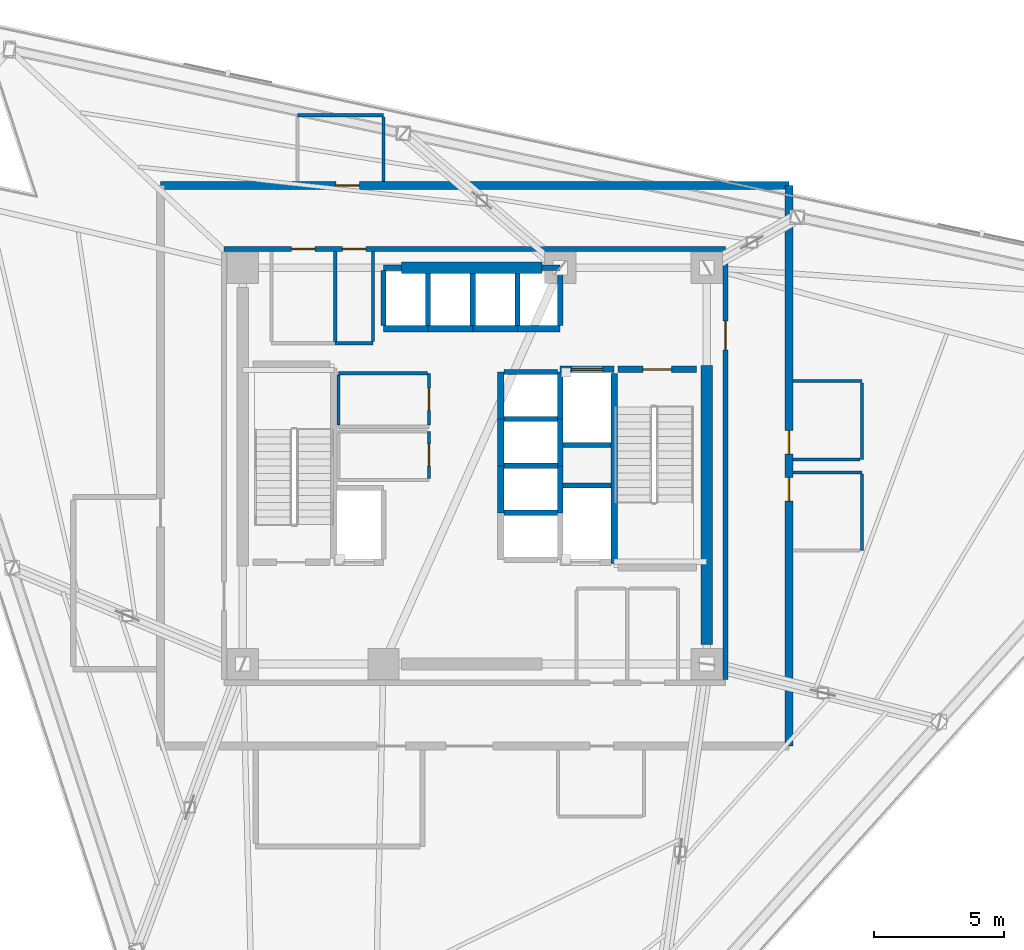
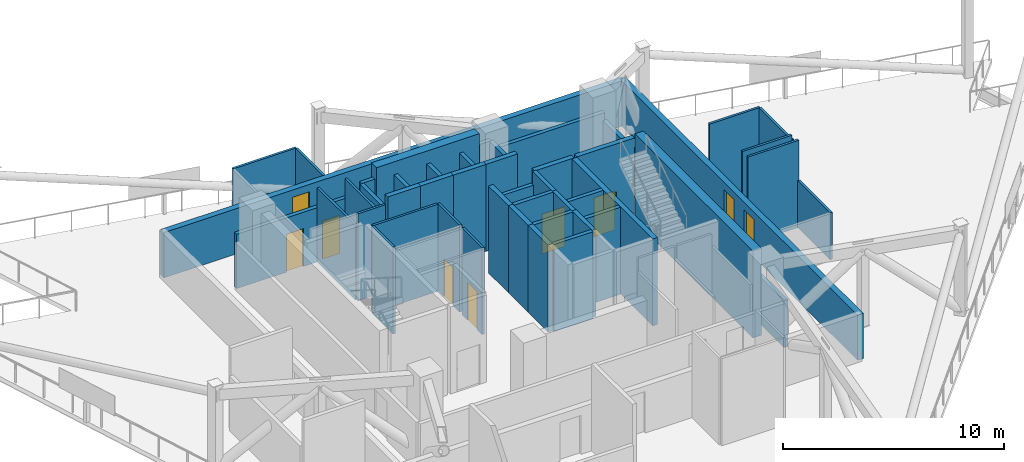
# One storey, part 8 of 15: 46 walls, 10 doors, 10 openings.
"""IFC4 building model written with IfcOpenShell, lengths in metres."""

import ifcopenshell
import ifcopenshell.guid

model = None  # the IFC model being written
_history = None  # IfcOwnerHistory: only IFC2X3 demands one
_inside = {}  # id of a spatial element -> (the spatial element, [elements in it])
_under = {}  # id of a project, library or spatial element -> (it, [spatial elements below it])
_declared = {}  # id of a project -> (the project, [libraries it declares])
_typed = {}  # id of a type object -> (the type object, [elements of that type])
_made_of = {}  # id of a material, layer set ... -> (it, [elements and type objects made of it])


def new_model(schema):
    """Start an empty IFC model of exactly this schema.

    Asked for "IFC4X3", IfcOpenShell would pick the latest addendum, in which some entities
    have other attributes; the version numbers below select the first issue.
    IFC2X3 requires an IfcOwnerHistory on every rooted entity: one is made here for all.
    """
    global model, _history
    if schema == "IFC4X3":
        model = ifcopenshell.file(schema_version=(4, 3, 0, 0))
    else:
        model = ifcopenshell.file(schema=schema)
    _inside.clear()
    _under.clear()
    _declared.clear()
    _typed.clear()
    _made_of.clear()
    _history = None
    if model.schema == "IFC2X3":
        org = make("IfcOrganization", Name="unknown")
        user = make(
            "IfcPersonAndOrganization",
            ThePerson=make("IfcPerson", FamilyName="unknown"),
            TheOrganization=org,
        )
        app = make(
            "IfcApplication",
            ApplicationDeveloper=org,
            Version="unknown",
            ApplicationFullName="unknown",
            ApplicationIdentifier="unknown",
        )
        _history = make(
            "IfcOwnerHistory",
            OwningUser=user,
            OwningApplication=app,
            ChangeAction="ADDED",
            CreationDate=0,
        )
    return model


def make(cls, **values):
    """One entity of the class cls with the attributes given. An attribute that is None is left unset."""
    return model.create_entity(
        cls, **{name: value for name, value in values.items() if value is not None}
    )


def rooted(cls, **values):
    """An entity with a GlobalId (a new one), such as an element, a storey or a relation."""
    return make(cls, GlobalId=ifcopenshell.guid.new(), OwnerHistory=_history, **values)


def si_unit(unit_type, name, prefix=None):
    """IfcSIUnit, for example si_unit("LENGTHUNIT", "METRE", prefix="MILLI")."""
    return make("IfcSIUnit", UnitType=unit_type, Prefix=prefix, Name=name)


def assignment(units):
    """IfcUnitAssignment: the units of a project."""
    return None if units is None else make("IfcUnitAssignment", Units=units)


def point(xyz):
    """IfcCartesianPoint."""
    return None if xyz is None else make("IfcCartesianPoint", Coordinates=xyz)


def direction(xyz):
    """IfcDirection."""
    return None if xyz is None else make("IfcDirection", DirectionRatios=xyz)


def frame(location, z_axis=None, x_axis=None):
    """IfcAxis2Placement3D, a coordinate frame: its origin and axes. An axis left out is left unset."""
    return make(
        "IfcAxis2Placement3D",
        Location=point(location),
        Axis=direction(z_axis),
        RefDirection=direction(x_axis),
    )


def frame_2d(location, x_axis=None):
    """IfcAxis2Placement2D, a coordinate frame in the plane: its origin and x axis."""
    return make(
        "IfcAxis2Placement2D", Location=point(location), RefDirection=direction(x_axis)
    )


def origin():
    """The frame at (0, 0, 0) with its axes left unset."""
    return frame((0.0, 0.0, 0.0))


def place(relative_to, where):
    """IfcLocalPlacement: puts the frame where relative to a parent placement (None: the world)."""
    return make(
        "IfcLocalPlacement", PlacementRelTo=relative_to, RelativePlacement=where
    )


def context(
    kind, dimensions, precision=None, world=None, true_north=None, identifier=None
):
    """IfcGeometricRepresentationContext, for example the 3D "Model" context."""
    return make(
        "IfcGeometricRepresentationContext",
        ContextIdentifier=identifier,
        ContextType=kind,
        CoordinateSpaceDimension=dimensions,
        Precision=precision,
        WorldCoordinateSystem=world,
        TrueNorth=true_north,
    )


def subcontext(parent, identifier, kind, view, scale=None):
    """IfcGeometricRepresentationSubContext, for example "Body" below "Model"."""
    return make(
        "IfcGeometricRepresentationSubContext",
        ContextIdentifier=identifier,
        ContextType=kind,
        ParentContext=parent,
        TargetScale=scale,
        TargetView=view,
    )


def project(units=None, contexts=None):
    """IfcProject with its units and contexts."""
    return rooted(
        "IfcProject",
        Name="project",
        RepresentationContexts=contexts,
        UnitsInContext=assignment(units),
    )


def spatial(cls, under=None, at=None, **own):
    """A site, building, storey or space (cls), placed at a placement, below another one or the project."""
    s = rooted(cls, ObjectPlacement=at, **own)
    if under is not None:
        _under.setdefault(under.id(), (under, []))[1].append(s)
    return s


def profile(cls, at=None, kind="AREA", **sizes):
    """A parametric profile (cls). Its sizes go by their IFC names, for example OverallWidth=200.0."""
    return make(cls, ProfileType=kind, Position=at, **sizes)


def rectangle(**sizes):
    """IfcRectangleProfileDef."""
    return profile("IfcRectangleProfileDef", **sizes)


def extrude(swept, where, along, depth):
    """IfcExtrudedAreaSolid: the profile swept, set in the frame where, extruded along a direction by depth."""
    return make(
        "IfcExtrudedAreaSolid",
        SweptArea=swept,
        Position=where,
        ExtrudedDirection=direction(along),
        Depth=depth,
    )


def shape(context_of_items, identifier, shape_type, items):
    """IfcShapeRepresentation: the items that make up one representation, for example the "Body"."""
    return make(
        "IfcShapeRepresentation",
        ContextOfItems=context_of_items,
        RepresentationIdentifier=identifier,
        RepresentationType=shape_type,
        Items=items,
    )


def material(Name=None, Category=None):
    """IfcMaterial."""
    return make("IfcMaterial", Name=Name, Category=Category)


def layer(
    of_material, thickness, ventilated=None, Name=None, Category=None, Priority=None
):
    """IfcMaterialLayer: one layer of a wall or slab, of a material (None: an air gap)."""
    return make(
        "IfcMaterialLayer",
        Material=of_material,
        LayerThickness=thickness,
        IsVentilated=ventilated,
        Name=Name,
        Category=Category,
        Priority=Priority,
    )


def layer_set(layers, Name=None):
    """IfcMaterialLayerSet."""
    return make("IfcMaterialLayerSet", MaterialLayers=layers, LayerSetName=Name)


def made_of(thing, what):
    """Note that an element or type object is made of a material, layer set ...; save() writes the relation."""
    if what is not None:
        _made_of.setdefault(what.id(), (what, []))[1].append(thing)
    return thing


def type_object(cls, material=None, **own):
    """A type object (cls), such as IfcWallType, which elements share."""
    return made_of(rooted(cls, **own), material)


def element(
    cls,
    number,
    at=None,
    inside=None,
    cuts=None,
    type_object=None,
    material=None,
    context=None,
    identifier="Body",
    shape_type=None,
    held_by="IfcProductDefinitionShape",
    body=None,
    shapes=None,
    **own,
):
    """One element of the class cls, such as IfcWall. Its Tag is "e" and its number.

    at: its placement. inside: the storey or other place that contains it. cuts: it is an
    opening in that element (IfcRelVoidsElement). A single representation is given by context,
    identifier, shape_type and body (its items); several are given by shapes. held_by: the class
    of the entity that holds the representations. save() writes the other relations.
    """
    e = rooted(cls, Tag="e%d" % number, ObjectPlacement=at, **own)
    if body is not None:
        shapes = [shape(context, identifier, shape_type, body)]
    if shapes is not None:
        e.Representation = make(held_by, Representations=shapes)
    if inside is not None:
        _inside.setdefault(inside.id(), (inside, []))[1].append(e)
    if cuts is not None:
        rooted(
            "IfcRelVoidsElement", RelatingBuildingElement=cuts, RelatedOpeningElement=e
        )
    if type_object is not None:
        _typed.setdefault(type_object.id(), (type_object, []))[1].append(e)
    return made_of(e, material)


def fill(opening, filler):
    """IfcRelFillsElement: the door or window that sits in an opening."""
    return rooted(
        "IfcRelFillsElement",
        RelatingOpeningElement=opening,
        RelatedBuildingElement=filler,
    )


def aggregate(whole, parts):
    """IfcRelAggregates: a whole, such as a stair, and the parts it consists of."""
    return rooted("IfcRelAggregates", RelatingObject=whole, RelatedObjects=parts)


def save(model, path):
    """Write the relations noted so far, then the file.

    IfcRelAggregates (storeys below a building ...), IfcRelContainedInSpatialStructure (elements
    in a storey), IfcRelDefinesByType, IfcRelAssociatesMaterial and IfcRelDeclares: one each for
    every whole, place, type object, material and project.
    """
    for whole, parts in _under.values():
        aggregate(whole, parts)
    for where, things in _inside.values():
        rooted(
            "IfcRelContainedInSpatialStructure",
            RelatedElements=things,
            RelatingStructure=where,
        )
    for kind, things in _typed.values():
        rooted("IfcRelDefinesByType", RelatedObjects=things, RelatingType=kind)
    for what, things in _made_of.values():
        rooted("IfcRelAssociatesMaterial", RelatedObjects=things, RelatingMaterial=what)
    for by, libraries in _declared.values():
        rooted("IfcRelDeclares", RelatingContext=by, RelatedDefinitions=libraries)
    model.write(path)


model = new_model("IFC4")

# Units and contexts
model_context = context("Model", 3, precision=1e-05, world=origin(), true_north=direction((0.0, 1.0)))
body_context = subcontext(model_context, "Body", "Model", "MODEL_VIEW")
ifc_project = project(units=[si_unit("LENGTHUNIT", "METRE"), si_unit("AREAUNIT", "SQUARE_METRE"), si_unit("VOLUMEUNIT", "CUBIC_METRE"), si_unit("PLANEANGLEUNIT", "RADIAN"), si_unit("MASSUNIT", "GRAM", prefix="KILO")], contexts=[model_context])

# Site, building, storey
site_placement = place(None, origin())
site = spatial("IfcSite", under=ifc_project, at=site_placement, CompositionType="ELEMENT")
building_placement = place(site_placement, origin())
building = spatial("IfcBuilding", under=site, at=building_placement, Name="Tharavind Bronze Gate", CompositionType="ELEMENT")
storey_placement = place(building_placement, frame((0.0, 0.0, 222.050048828125)))
storey = spatial("IfcBuildingStorey", under=building, at=storey_placement, Name="L57", CompositionType="ELEMENT", Elevation=222.050048828125)

# Wall, openings, doors
ifc_material_1 = material(Name="Concrete C40/50", Category="concrete")
ifc_layer_1 = layer(ifc_material_1, 0.300048828125)
ifc_layer_set_1 = layer_set([ifc_layer_1], Name="Concrete C40/50")
wall_type_1 = type_object("IfcWallType", Name="EXTERIOR SPANDREL WALL 300", PredefinedType="STANDARD", material=ifc_layer_set_1)
wall_1_placement = place(storey_placement, frame((12.050048828125, -10.75, 0.0), z_axis=(0.0, 0.0, 1.0), x_axis=(0.0, 1.0, 0.0)))
wall_1 = element("IfcWall", 1, at=wall_1_placement, inside=storey, type_object=wall_type_1, Name="L57 open wind floor core enclosure wall 2", PredefinedType="STANDARD", context=body_context, shape_type="SweptSolid", body=[
    extrude(rectangle(XDim=21.5, YDim=0.300048828125, at=frame_2d((10.75, 0.0))), origin(), (0.0, 0.0, 1.0), 2.5048828125),
])
opening_1_placement = place(wall_1_placement, frame((11.199951171875, 0.0, 0.0)))
opening_1 = element("IfcOpeningElement", 2, at=opening_1_placement, cuts=wall_1, Name="Opening ID07", PredefinedType="OPENING", context=body_context, shape_type="SweptSolid", body=[
    extrude(rectangle(XDim=0.89990234375, YDim=2.10009765625, at=frame_2d((0.449951171875, 1.050048828125))), frame((0.0, 0.15990234375, 0.0), z_axis=(0.0, -1.0, 0.0), x_axis=(1.0, 0.0, 0.0)), (0.0, 0.0, 1.0), 0.320048828125),
])
opening_2_placement = place(wall_1_placement, frame((9.39990234375, 0.0, 0.0)))
opening_2 = element("IfcOpeningElement", 3, at=opening_2_placement, cuts=wall_1, Name="Opening ID07", PredefinedType="OPENING", context=body_context, shape_type="SweptSolid", body=[
    extrude(rectangle(XDim=0.89990234375, YDim=2.10009765625, at=frame_2d((0.449951171875, 1.050048828125))), frame((0.0, 0.15990234375, 0.0), z_axis=(0.0, -1.0, 0.0), x_axis=(1.0, 0.0, 0.0)), (0.0, 0.0, 1.0), 0.320048828125),
])
ifc_material_2 = material(Name="Galvanised Fire Steel", Category="steel")
door_type_1 = type_object("IfcDoorType", Name="PLANT AND RISER FIRE DOOR 900X2100", OperationType="SINGLE_SWING_LEFT", PredefinedType="DOOR", material=ifc_material_2)
door_1_placement = place(opening_1_placement, origin())
door_1 = element("IfcDoor", 4, at=door_1_placement, inside=storey, type_object=door_type_1, Name="L57 Smoke Extract Plant Room door", OperationType="SINGLE_SWING_LEFT", OverallHeight=2.10009765625, OverallWidth=0.89990234375, PredefinedType="DOOR", context=body_context, shape_type="SweptSolid", body=[
    extrude(rectangle(XDim=0.89990234375, YDim=2.10009765625, at=frame_2d((0.449951171875, 1.050048828125))), frame((0.0, 0.02490234375, 0.0), z_axis=(0.0, -1.0, 0.0), x_axis=(1.0, 0.0, 0.0)), (0.0, 0.0, 1.0), 0.050048828125),
])
fill(opening_1, door_1)
door_2_placement = place(opening_2_placement, origin())
door_2 = element("IfcDoor", 5, at=door_2_placement, inside=storey, type_object=door_type_1, Name="L57 Pressurisation Mechanical Room door", OperationType="SINGLE_SWING_LEFT", OverallHeight=2.10009765625, OverallWidth=0.89990234375, PredefinedType="DOOR", context=body_context, shape_type="SweptSolid", body=[
    extrude(rectangle(XDim=0.89990234375, YDim=2.10009765625, at=frame_2d((0.449951171875, 1.050048828125))), frame((0.0, 0.02490234375, 0.0), z_axis=(0.0, -1.0, 0.0), x_axis=(1.0, 0.0, 0.0)), (0.0, 0.0, 1.0), 0.050048828125),
])
fill(opening_2, door_2)

# Wall, opening, door
wall_2_placement = place(storey_placement, frame((12.050048828125, 10.75, 0.0), z_axis=(0.0, 0.0, 1.0), x_axis=(-1.0, 0.0, 0.0)))
wall_2 = element("IfcWall", 6, at=wall_2_placement, inside=storey, type_object=wall_type_1, Name="L57 open wind floor core enclosure wall 3", PredefinedType="STANDARD", context=body_context, shape_type="SweptSolid", body=[
    extrude(rectangle(XDim=24.10009765625, YDim=0.300048828125, at=frame_2d((12.050048828125, 0.0))), origin(), (0.0, 0.0, 1.0), 2.5048828125),
])
opening_3_placement = place(wall_2_placement, frame((16.47705078125, 0.0, 0.0)))
opening_3 = element("IfcOpeningElement", 7, at=opening_3_placement, cuts=wall_2, Name="Opening ID07", PredefinedType="OPENING", context=body_context, shape_type="SweptSolid", body=[
    extrude(rectangle(XDim=0.89990234375, YDim=2.10009765625, at=frame_2d((0.449951171875, 1.050048828125))), frame((0.0, 0.15990234375, 0.0), z_axis=(0.0, -1.0, 0.0), x_axis=(1.0, 0.0, 0.0)), (0.0, 0.0, 1.0), 0.320048828125),
])
door_3_placement = place(opening_3_placement, origin())
door_3 = element("IfcDoor", 8, at=door_3_placement, inside=storey, type_object=door_type_1, Name="L57 Booster Pump Plant Room door", OperationType="SINGLE_SWING_LEFT", OverallHeight=2.10009765625, OverallWidth=0.89990234375, PredefinedType="DOOR", context=body_context, shape_type="SweptSolid", body=[
    extrude(rectangle(XDim=0.89990234375, YDim=2.10009765625, at=frame_2d((0.449951171875, 1.050048828125))), frame((0.0, 0.02490234375, 0.0), z_axis=(0.0, -1.0, 0.0), x_axis=(1.0, 0.0, 0.0)), (0.0, 0.0, 1.0), 0.050048828125),
])
fill(opening_3, door_3)

# Wall, openings, doors
ifc_material_3 = material(Name="Aerated Concrete Block", Category="concrete")
ifc_layer_2 = layer(ifc_material_3, 0.199951171875)
ifc_layer_set_2 = layer_set([ifc_layer_2], Name="Aerated Concrete Block")
wall_type_2 = type_object("IfcWallType", Name="FIRE RATED PARTITION 200", PredefinedType="PARTITIONING", material=ifc_layer_set_2)
wall_3_placement = place(storey_placement, frame((9.6201171875, 8.320068359375, 0.0), z_axis=(0.0, 0.0, 1.0), x_axis=(-1.0, 0.0, 0.0)))
wall_3 = element("IfcWall", 9, at=wall_3_placement, inside=storey, type_object=wall_type_2, Name="L57 north core corridor wall", PredefinedType="PARTITIONING", context=body_context, shape_type="SweptSolid", body=[
    extrude(rectangle(XDim=19.240234375, YDim=0.199951171875, at=frame_2d((9.6201171875, 0.0))), origin(), (0.0, 0.0, 1.0), 3.0048828125),
])
opening_4_placement = place(wall_3_placement, frame((15.7451171875, 0.0, 0.0)))
opening_4 = element("IfcOpeningElement", 10, at=opening_4_placement, cuts=wall_3, Name="Opening ID07", PredefinedType="OPENING", context=body_context, shape_type="SweptSolid", body=[
    extrude(rectangle(XDim=0.89990234375, YDim=2.10009765625, at=frame_2d((0.449951171875, 1.050048828125))), frame((0.0, 0.11009765625, 0.0), z_axis=(0.0, -1.0, 0.0), x_axis=(1.0, 0.0, 0.0)), (0.0, 0.0, 1.0), 0.219951171875),
])
opening_5_placement = place(wall_3_placement, frame((13.794921875, 0.0, 0.0)))
opening_5 = element("IfcOpeningElement", 11, at=opening_5_placement, cuts=wall_3, Name="Opening ID07", PredefinedType="OPENING", context=body_context, shape_type="SweptSolid", body=[
    extrude(rectangle(XDim=0.89990234375, YDim=2.10009765625, at=frame_2d((0.449951171875, 1.050048828125))), frame((0.0, 0.11009765625, 0.0), z_axis=(0.0, -1.0, 0.0), x_axis=(1.0, 0.0, 0.0)), (0.0, 0.0, 1.0), 0.219951171875),
])
door_4_placement = place(opening_4_placement, origin())
door_4 = element("IfcDoor", 12, at=door_4_placement, inside=storey, type_object=door_type_1, Name="L57 MEP Switchgear Room fire door", OperationType="SINGLE_SWING_LEFT", OverallHeight=2.10009765625, OverallWidth=0.89990234375, PredefinedType="DOOR", context=body_context, shape_type="SweptSolid", body=[
    extrude(rectangle(XDim=0.89990234375, YDim=2.10009765625, at=frame_2d((0.449951171875, 1.050048828125))), frame((0.0, 0.02490234375, 0.0), z_axis=(0.0, -1.0, 0.0), x_axis=(1.0, 0.0, 0.0)), (0.0, 0.0, 1.0), 0.050048828125),
])
fill(opening_4, door_4)
door_5_placement = place(opening_5_placement, origin())
door_5 = element("IfcDoor", 13, at=door_5_placement, inside=storey, type_object=door_type_1, Name="L57 Mechanical Riser Plant Room fire door", OperationType="SINGLE_SWING_LEFT", OverallHeight=2.10009765625, OverallWidth=0.89990234375, PredefinedType="DOOR", context=body_context, shape_type="SweptSolid", body=[
    extrude(rectangle(XDim=0.89990234375, YDim=2.10009765625, at=frame_2d((0.449951171875, 1.050048828125))), frame((0.0, 0.02490234375, 0.0), z_axis=(0.0, -1.0, 0.0), x_axis=(1.0, 0.0, 0.0)), (0.0, 0.0, 1.0), 0.050048828125),
])
fill(opening_5, door_5)

# Wall, opening, door
wall_4_placement = place(storey_placement, frame((9.6201171875, -8.199951171875, 0.0), z_axis=(0.0, 0.0, 1.0), x_axis=(0.0, 1.0, 0.0)))
wall_4 = element("IfcWall", 14, at=wall_4_placement, inside=storey, type_object=wall_type_2, Name="L57 east core corridor wall", PredefinedType="PARTITIONING", context=body_context, shape_type="SweptSolid", body=[
    extrude(rectangle(XDim=16.39990234375, YDim=0.199951171875, at=frame_2d((8.199951171875, 0.0))), origin(), (0.0, 0.0, 1.0), 2.60498046875),
])
opening_6_placement = place(wall_4_placement, frame((12.64990234375, 0.0, 0.0)))
opening_6 = element("IfcOpeningElement", 15, at=opening_6_placement, cuts=wall_4, Name="Opening ID01", PredefinedType="OPENING", context=body_context, shape_type="SweptSolid", body=[
    extrude(rectangle(XDim=1.10009765625, YDim=2.14990234375, at=frame_2d((0.550048828125, 1.074951171875))), frame((0.0, 0.11009765625, 0.0), z_axis=(0.0, -1.0, 0.0), x_axis=(1.0, 0.0, 0.0)), (0.0, 0.0, 1.0), 0.219951171875),
])
ifc_material_4 = material(Name="Fire-Rated Steel", Category="steel")
door_type_2 = type_object("IfcDoorType", Name="STAIR CORE FIRE DOOR 1100X2150", OperationType="SINGLE_SWING_LEFT", PredefinedType="DOOR", material=ifc_material_4)
door_6_placement = place(opening_6_placement, frame((1.10009765625, 0.0, 0.0), z_axis=(0.0, 0.0, 1.0), x_axis=(-1.0, 0.0, 0.0)))
door_6 = element("IfcDoor", 16, at=door_6_placement, inside=storey, type_object=door_type_2, Name="L57 north east stair lobby fire door", OperationType="SINGLE_SWING_LEFT", OverallHeight=2.14990234375, OverallWidth=1.10009765625, PredefinedType="DOOR", context=body_context, shape_type="SweptSolid", body=[
    extrude(rectangle(XDim=1.10009765625, YDim=2.14990234375, at=frame_2d((0.550048828125, 1.074951171875))), frame((0.0, 0.02490234375, 0.0), z_axis=(0.0, -1.0, 0.0), x_axis=(1.0, 0.0, 0.0)), (0.0, 0.0, 1.0), 0.050048828125),
])
fill(opening_6, door_6)

ifc_material_5 = material(Name="Metal Stud Gypsum Partition", Category="gypsum")
ifc_layer_3 = layer(ifc_material_5, 0.1201171875)
ifc_layer_set_3 = layer_set([ifc_layer_3], Name="Metal Stud Gypsum Partition")
wall_type_3 = type_object("IfcWallType", Name="INTERIOR PARTITION WALL 120", PredefinedType="PARTITIONING", material=ifc_layer_set_3)
wall_5_placement = place(storey_placement, frame((-1.75, 1.56494140625, 0.0), z_axis=(0.0, 0.0, 1.0), x_axis=(0.0, 1.0, 0.0)))
wall_5 = element("IfcWall", 17, at=wall_5_placement, inside=storey, type_object=wall_type_3, Name="L57 Core MEP Switchgear Room partition 2", PredefinedType="PARTITIONING", context=body_context, shape_type="SweptSolid", body=[
    extrude(rectangle(XDim=1.985107421875, YDim=0.1201171875, at=frame_2d((0.99267578125, 0.0))), origin(), (0.0, 0.0, 1.0), 4.81005859375),
])
opening_7_placement = place(wall_5_placement, frame((0.56689453125, 0.0, 0.0)))
opening_7 = element("IfcOpeningElement", 18, at=opening_7_placement, cuts=wall_5, Name="Opening ID06", PredefinedType="OPENING", context=body_context, shape_type="SweptSolid", body=[
    extrude(rectangle(XDim=0.85009765625, YDim=2.10009765625, at=frame_2d((0.425048828125, 1.050048828125))), frame((0.0, 0.07005859375, 0.0), z_axis=(0.0, -1.0, 0.0), x_axis=(1.0, 0.0, 0.0)), (0.0, 0.0, 1.0), 0.1401171875),
])
ifc_material_6 = material(Name="Moisture-Resistant Timber", Category="wood")
door_type_3 = type_object("IfcDoorType", Name="BATHROOM PRIVACY DOOR 850X2100", OperationType="SINGLE_SWING_RIGHT", PredefinedType="DOOR", material=ifc_material_6)
door_7_placement = place(opening_7_placement, frame((0.85009765625, 0.0, 0.0), z_axis=(0.0, 0.0, 1.0), x_axis=(-1.0, 0.0, 0.0)))
door_7 = element("IfcDoor", 19, at=door_7_placement, inside=storey, type_object=door_type_3, Name="L57 Core MEP Switchgear Room door", OperationType="SINGLE_SWING_RIGHT", OverallHeight=2.10009765625, OverallWidth=0.85009765625, PredefinedType="DOOR", context=body_context, shape_type="SweptSolid", body=[
    extrude(rectangle(XDim=0.85009765625, YDim=2.10009765625, at=frame_2d((0.425048828125, 1.050048828125))), frame((0.0, 0.02490234375, 0.0), z_axis=(0.0, -1.0, 0.0), x_axis=(1.0, 0.0, 0.0)), (0.0, 0.0, 1.0), 0.050048828125),
])
fill(opening_7, door_7)

# Walls
wall_6_placement = place(storey_placement, frame((-1.81494140625, 3.550048828125, 0.0), z_axis=(0.0, 0.0, 1.0), x_axis=(-1.0, 0.0, 0.0)))
element("IfcWall", 20, at=wall_6_placement, inside=storey, type_object=wall_type_3, Name="L57 Core MEP Switchgear Room partition 3", PredefinedType="PARTITIONING", context=body_context, shape_type="SweptSolid", body=[
    extrude(rectangle(XDim=3.405029296875, YDim=0.1201171875, at=frame_2d((1.70263671875, 0.0))), origin(), (0.0, 0.0, 1.0), 4.81005859375),
])
wall_7_placement = place(storey_placement, frame((-5.219970703125, 3.485107421875, 0.0), z_axis=(0.0, 0.0, 1.0), x_axis=(0.0, -1.0, 0.0)))
element("IfcWall", 21, at=wall_7_placement, inside=storey, type_object=wall_type_3, Name="L57 Core MEP Switchgear Room partition 4", PredefinedType="PARTITIONING", context=body_context, shape_type="SweptSolid", body=[
    extrude(rectangle(XDim=1.920166015625, YDim=0.1201171875, at=frame_2d((0.9599609375, 0.0))), origin(), (0.0, 0.0, 1.0), 4.81005859375),
])

# Wall, opening, door
wall_8_placement = place(storey_placement, frame((-1.75, -0.485107421875, 0.0), z_axis=(0.0, 0.0, 1.0), x_axis=(0.0, 1.0, 0.0)))
wall_8 = element("IfcWall", 22, at=wall_8_placement, inside=storey, type_object=wall_type_3, Name="L57 Core Mechanical Valve Plant partition 2", PredefinedType="PARTITIONING", context=body_context, shape_type="SweptSolid", body=[
    extrude(rectangle(XDim=1.80517578125, YDim=0.1201171875, at=frame_2d((0.902587890625, 0.0))), origin(), (0.0, 0.0, 1.0), 4.81005859375),
])
opening_8_placement = place(wall_8_placement, frame((0.47802734375, 0.0, 0.0)))
opening_8 = element("IfcOpeningElement", 23, at=opening_8_placement, cuts=wall_8, Name="Opening ID06", PredefinedType="OPENING", context=body_context, shape_type="SweptSolid", body=[
    extrude(rectangle(XDim=0.85009765625, YDim=2.10009765625, at=frame_2d((0.425048828125, 1.050048828125))), frame((0.0, 0.07005859375, 0.0), z_axis=(0.0, -1.0, 0.0), x_axis=(1.0, 0.0, 0.0)), (0.0, 0.0, 1.0), 0.1401171875),
])
door_8_placement = place(opening_8_placement, frame((0.85009765625, 0.0, 0.0), z_axis=(0.0, 0.0, 1.0), x_axis=(-1.0, 0.0, 0.0)))
door_8 = element("IfcDoor", 24, at=door_8_placement, inside=storey, type_object=door_type_3, Name="L57 Core Mechanical Valve Plant door", OperationType="SINGLE_SWING_RIGHT", OverallHeight=2.10009765625, OverallWidth=0.85009765625, PredefinedType="DOOR", context=body_context, shape_type="SweptSolid", body=[
    extrude(rectangle(XDim=0.85009765625, YDim=2.10009765625, at=frame_2d((0.425048828125, 1.050048828125))), frame((0.0, 0.02490234375, 0.0), z_axis=(0.0, -1.0, 0.0), x_axis=(1.0, 0.0, 0.0)), (0.0, 0.0, 1.0), 0.050048828125),
])
fill(opening_8, door_8)

# Walls
wall_9_placement = place(storey_placement, frame((-5.35009765625, 4.764892578125, 0.0), z_axis=(0.0, 0.0, 1.0), x_axis=(0.0, 1.0, 0.0)))
element("IfcWall", 25, at=wall_9_placement, inside=storey, type_object=wall_type_3, Name="L57 MEP Switchgear Room partition 2", PredefinedType="PARTITIONING", context=body_context, shape_type="SweptSolid", body=[
    extrude(rectangle(XDim=3.4501953125, YDim=0.1201171875, at=frame_2d((1.72509765625, 0.0))), origin(), (0.0, 0.0, 1.0), 4.10498046875),
])
wall_10_placement = place(storey_placement, frame((-5.35009765625, 4.699951171875, 0.0), z_axis=(0.0, 0.0, 1.0), x_axis=(1.0, 0.0, 0.0)))
element("IfcWall", 26, at=wall_10_placement, inside=storey, type_object=wall_type_3, Name="L57 Mechanical Riser Plant Room partition 1", PredefinedType="PARTITIONING", context=body_context, shape_type="SweptSolid", body=[
    extrude(rectangle(XDim=1.4501953125, YDim=0.1201171875, at=frame_2d((0.72509765625, 0.0))), origin(), (0.0, 0.0, 1.0), 4.81005859375),
])
wall_11_placement = place(storey_placement, frame((-3.89990234375, 4.764892578125, 0.0), z_axis=(0.0, 0.0, 1.0), x_axis=(0.0, 1.0, 0.0)))
element("IfcWall", 27, at=wall_11_placement, inside=storey, type_object=wall_type_3, Name="L57 Mechanical Riser Plant Room partition 2", PredefinedType="PARTITIONING", context=body_context, shape_type="SweptSolid", body=[
    extrude(rectangle(XDim=3.4501953125, YDim=0.1201171875, at=frame_2d((1.72509765625, 0.0))), origin(), (0.0, 0.0, 1.0), 4.10498046875),
])
wall_12_placement = place(storey_placement, frame((12.205078125, 3.25, 0.0), z_axis=(0.0, 0.0, 1.0), x_axis=(1.0, 0.0, 0.0)))
element("IfcWall", 28, at=wall_12_placement, inside=storey, type_object=wall_type_3, Name="L57 Smoke Extract Plant Room partition", PredefinedType="PARTITIONING", context=body_context, shape_type="SweptSolid", body=[
    extrude(rectangle(XDim=2.64501953125, YDim=0.1201171875, at=frame_2d((1.322509765625, 0.0))), origin(), (0.0, 0.0, 1.0), 4.5048828125),
])
wall_13_placement = place(storey_placement, frame((14.85009765625, 3.18505859375, 0.0), z_axis=(0.0, 0.0, 1.0), x_axis=(0.0, -1.0, 0.0)))
element("IfcWall", 29, at=wall_13_placement, inside=storey, type_object=wall_type_3, Name="L57 Smoke Extract Plant Room partition", PredefinedType="PARTITIONING", context=body_context, shape_type="SweptSolid", body=[
    extrude(rectangle(XDim=2.93505859375, YDim=0.1201171875, at=frame_2d((1.467529296875, 0.0))), origin(), (0.0, 0.0, 1.0), 4.5048828125),
])
wall_14_placement = place(storey_placement, frame((14.784912109375, 0.25, 0.0), z_axis=(0.0, 0.0, 1.0), x_axis=(-1.0, 0.0, 0.0)))
element("IfcWall", 30, at=wall_14_placement, inside=storey, type_object=wall_type_3, Name="L57 Smoke Extract Plant Room partition", PredefinedType="PARTITIONING", context=body_context, shape_type="SweptSolid", body=[
    extrude(rectangle(XDim=2.579833984375, YDim=0.1201171875, at=frame_2d((1.2900390625, 0.0))), origin(), (0.0, 0.0, 1.0), 4.81005859375),
])
wall_15_placement = place(storey_placement, frame((12.205078125, -0.25, 0.0), z_axis=(0.0, 0.0, 1.0), x_axis=(1.0, 0.0, 0.0)))
element("IfcWall", 31, at=wall_15_placement, inside=storey, type_object=wall_type_3, Name="L57 Pressurisation Mechanical Room partition", PredefinedType="PARTITIONING", context=body_context, shape_type="SweptSolid", body=[
    extrude(rectangle(XDim=2.64501953125, YDim=0.1201171875, at=frame_2d((1.322509765625, 0.0))), origin(), (0.0, 0.0, 1.0), 4.81005859375),
])
wall_16_placement = place(storey_placement, frame((14.85009765625, -0.31494140625, 0.0), z_axis=(0.0, 0.0, 1.0), x_axis=(0.0, -1.0, 0.0)))
element("IfcWall", 32, at=wall_16_placement, inside=storey, type_object=wall_type_3, Name="L57 Pressurisation Mechanical Room partition", PredefinedType="PARTITIONING", context=body_context, shape_type="SweptSolid", body=[
    extrude(rectangle(XDim=2.93505859375, YDim=0.1201171875, at=frame_2d((1.467529296875, 0.0))), origin(), (0.0, 0.0, 1.0), 2.60498046875),
])
wall_17_placement = place(storey_placement, frame((-6.800048828125, 13.449951171875, 0.0), z_axis=(0.0, 0.0, 1.0), x_axis=(1.0, 0.0, 0.0)))
element("IfcWall", 33, at=wall_17_placement, inside=storey, type_object=wall_type_3, Name="L57 Booster Pump Plant Room partition", PredefinedType="PARTITIONING", context=body_context, shape_type="SweptSolid", body=[
    extrude(rectangle(XDim=3.300048828125, YDim=0.1201171875, at=frame_2d((1.64990234375, 0.0))), origin(), (0.0, 0.0, 1.0), 2.5048828125),
])
wall_18_placement = place(storey_placement, frame((-3.5, 13.385009765625, 0.0), z_axis=(0.0, 0.0, 1.0), x_axis=(0.0, -1.0, 0.0)))
element("IfcWall", 34, at=wall_18_placement, inside=storey, type_object=wall_type_3, Name="L57 Booster Pump Plant Room partition", PredefinedType="PARTITIONING", context=body_context, shape_type="SweptSolid", body=[
    extrude(rectangle(XDim=2.47998046875, YDim=0.1201171875, at=frame_2d((1.239990234375, 0.0))), origin(), (0.0, 0.0, 1.0), 2.5048828125),
])
ifc_material_7 = material(Name="Concrete C50/60", Category="concrete")
ifc_layer_4 = layer(ifc_material_7, 0.25)
ifc_layer_set_4 = layer_set([ifc_layer_4], Name="Concrete C50/60")
wall_type_4 = type_object("IfcWallType", Name="RC CORE SHEAR WALL 250", PredefinedType="SHEAR", material=ifc_layer_set_4)
wall_19_placement = place(storey_placement, frame((5.35009765625, -3.75, 0.0), z_axis=(0.0, 0.0, 1.0), x_axis=(0.0, 1.0, 0.0)))
element("IfcWall", 35, at=wall_19_placement, inside=storey, type_object=wall_type_4, Name="L57 ST2 shaft west wall", PredefinedType="SHEAR", context=body_context, shape_type="SweptSolid", body=[
    extrude(rectangle(XDim=7.300048828125, YDim=0.25, at=frame_2d((3.64990234375, 0.0))), origin(), (0.0, 0.0, 1.0), 4.81005859375),
])

# Wall, opening, door
wall_20_placement = place(storey_placement, frame((5.5, 3.699951171875, 0.0), z_axis=(0.0, 0.0, 1.0), x_axis=(1.0, 0.0, 0.0)))
wall_20 = element("IfcWall", 36, at=wall_20_placement, inside=storey, type_object=wall_type_4, Name="L57 ST2 shaft north wall", PredefinedType="SHEAR", context=body_context, shape_type="SweptSolid", body=[
    extrude(rectangle(XDim=3.0, YDim=0.25, at=frame_2d((1.5, 0.0))), origin(), (0.0, 0.0, 1.0), 4.81005859375),
])
opening_9_placement = place(wall_20_placement, frame((0.949951171875, 0.0, 0.0)))
opening_9 = element("IfcOpeningElement", 37, at=opening_9_placement, cuts=wall_20, Name="Opening ID01", PredefinedType="OPENING", context=body_context, shape_type="SweptSolid", body=[
    extrude(rectangle(XDim=1.10009765625, YDim=2.14990234375, at=frame_2d((0.550048828125, 1.074951171875))), frame((0.0, 0.135, 0.0), z_axis=(0.0, -1.0, 0.0), x_axis=(1.0, 0.0, 0.0)), (0.0, 0.0, 1.0), 0.27),
])
door_9_placement = place(opening_9_placement, frame((1.10009765625, 0.0, 0.0), z_axis=(0.0, 0.0, 1.0), x_axis=(-1.0, 0.0, 0.0)))
door_9 = element("IfcDoor", 38, at=door_9_placement, inside=storey, type_object=door_type_2, Name="L57 exit stair ST2 fire door", OperationType="SINGLE_SWING_LEFT", OverallHeight=2.14990234375, OverallWidth=1.10009765625, PredefinedType="DOOR", context=body_context, shape_type="SweptSolid", body=[
    extrude(rectangle(XDim=1.10009765625, YDim=2.14990234375, at=frame_2d((0.550048828125, 1.074951171875))), frame((0.0, 0.02490234375, 0.0), z_axis=(0.0, -1.0, 0.0), x_axis=(1.0, 0.0, 0.0)), (0.0, 0.0, 1.0), 0.050048828125),
])
fill(opening_9, door_9)

# Walls
wall_21_placement = place(storey_placement, frame((-3.5, 5.25, 0.0), z_axis=(0.0, 0.0, 1.0), x_axis=(1.0, 0.0, 0.0)))
element("IfcWall", 39, at=wall_21_placement, inside=storey, type_object=wall_type_4, Name="L57 lift PL5 shaft front wall", PredefinedType="SHEAR", context=body_context, shape_type="SweptSolid", body=[
    extrude(rectangle(XDim=1.71240234375, YDim=0.25, at=frame_2d((0.856201171875, 0.0))), origin(), (0.0, 0.0, 1.0), 4.81005859375),
])
wall_22_placement = place(storey_placement, frame((-1.78759765625, 5.25, 0.0), z_axis=(0.0, 0.0, 1.0), x_axis=(1.0, 0.0, 0.0)))
element("IfcWall", 40, at=wall_22_placement, inside=storey, type_object=wall_type_4, Name="L57 lift PL6 shaft front wall", PredefinedType="SHEAR", context=body_context, shape_type="SweptSolid", body=[
    extrude(rectangle(XDim=1.712646484375, YDim=0.25, at=frame_2d((0.8564453125, 0.0))), origin(), (0.0, 0.0, 1.0), 4.81005859375),
])
wall_23_placement = place(storey_placement, frame((-0.074951171875, 5.25, 0.0), z_axis=(0.0, 0.0, 1.0), x_axis=(1.0, 0.0, 0.0)))
element("IfcWall", 41, at=wall_23_placement, inside=storey, type_object=wall_type_4, Name="L57 lift PL7 shaft front wall", PredefinedType="SHEAR", context=body_context, shape_type="SweptSolid", body=[
    extrude(rectangle(XDim=1.71240234375, YDim=0.25, at=frame_2d((0.856201171875, 0.0))), origin(), (0.0, 0.0, 1.0), 4.81005859375),
])
wall_24_placement = place(storey_placement, frame((1.637451171875, 5.25, 0.0), z_axis=(0.0, 0.0, 1.0), x_axis=(1.0, 0.0, 0.0)))
element("IfcWall", 42, at=wall_24_placement, inside=storey, type_object=wall_type_4, Name="L57 lift PL8 shaft front wall", PredefinedType="SHEAR", context=body_context, shape_type="SweptSolid", body=[
    extrude(rectangle(XDim=1.642578125, YDim=0.25, at=frame_2d((0.8212890625, 0.0))), origin(), (0.0, 0.0, 1.0), 4.81005859375),
])
for number, where, z_axis, x_axis, name in (
    (43, (1.0, -1.800048828125, 0.0), (0.0, 0.0, 1.0), (0.0, 1.0, 0.0), "L57 lift PL10 shaft front wall"),
    (44, (1.0, 0.0, 0.0), (0.0, 0.0, 1.0), (0.0, 1.0, 0.0), "L57 lift PL11 shaft front wall"),
    (45, (1.0, 1.800048828125, 0.0), (0.0, 0.0, 1.0), (0.0, 1.0, 0.0), "L57 lift PL12 shaft front wall"),
):
    element("IfcWall", number, at=place(storey_placement, frame(where, z_axis=z_axis, x_axis=x_axis)), inside=storey, type_object=wall_type_4, Name=name, PredefinedType="SHEAR", context=body_context, shape_type="SweptSolid", body=[
        extrude(rectangle(XDim=1.800048828125, YDim=0.25, at=frame_2d((0.89990234375, 0.0))), origin(), (0.0, 0.0, 1.0), 4.81005859375),
    ])

# Wall, opening, door
wall_25_placement = place(storey_placement, frame((3.280029296875, 3.699951171875, 0.0), z_axis=(0.0, 0.0, 1.0), x_axis=(1.0, 0.0, 0.0)))
wall_25 = element("IfcWall", 46, at=wall_25_placement, inside=storey, type_object=wall_type_4, Name="L57 lift FFL2 shaft front wall", PredefinedType="SHEAR", context=body_context, shape_type="SweptSolid", body=[
    extrude(rectangle(XDim=2.070068359375, YDim=0.25, at=frame_2d((1.03515625, 0.0))), origin(), (0.0, 0.0, 1.0), 4.81005859375),
])
opening_10_placement = place(wall_25_placement, frame((0.43505859375, 0.0, 0.0)))
opening_10 = element("IfcOpeningElement", 47, at=opening_10_placement, cuts=wall_25, Name="Opening LD02", PredefinedType="OPENING", context=body_context, shape_type="SweptSolid", body=[
    extrude(rectangle(XDim=1.199951171875, YDim=2.199951171875, at=frame_2d((0.60009765625, 1.10009765625))), frame((0.0, 0.135, 0.0), z_axis=(0.0, -1.0, 0.0), x_axis=(1.0, 0.0, 0.0)), (0.0, 0.0, 1.0), 0.27),
])
ifc_material_8 = material(Name="Brushed Stainless Steel", Category="steel")
door_type_4 = type_object("IfcDoorType", Name="FIREFIGHTING LIFT LANDING DOOR 1200X2200", OperationType="SLIDING_TO_RIGHT", PredefinedType="DOOR", material=ifc_material_8)
door_10_placement = place(opening_10_placement, origin())
door_10 = element("IfcDoor", 48, at=door_10_placement, inside=storey, type_object=door_type_4, Name="L57 lift FFL2 sliding landing door", OperationType="SLIDING_TO_RIGHT", OverallHeight=2.199951171875, OverallWidth=1.199951171875, PredefinedType="DOOR", context=body_context, shape_type="SweptSolid", body=[
    extrude(rectangle(XDim=1.199951171875, YDim=2.199951171875, at=frame_2d((0.60009765625, 1.10009765625))), frame((0.0, 0.02490234375, 0.0), z_axis=(0.0, -1.0, 0.0), x_axis=(1.0, 0.0, 0.0)), (0.0, 0.0, 1.0), 0.050048828125),
])
fill(opening_10, door_10)

# Walls
ifc_material_9 = material(Name="Concrete C60/75", Category="concrete")
ifc_layer_5 = layer(ifc_material_9, 0.449951171875)
ifc_layer_set_5 = layer_set([ifc_layer_5], Name="Concrete C60/75")
wall_type_5 = type_object("IfcWallType", Name="RC CORE SHEAR WALL 450", PredefinedType="SHEAR", material=ifc_layer_set_5)
wall_26_placement = place(storey_placement, frame((-2.800048828125, 7.60009765625, 0.0), z_axis=(0.0, 0.0, 1.0), x_axis=(1.0, 0.0, 0.0)))
element("IfcWall", 49, at=wall_26_placement, inside=storey, type_object=wall_type_5, Name="L57 north core shear wall", PredefinedType="SHEAR", context=body_context, shape_type="SweptSolid", body=[
    extrude(rectangle(XDim=5.380126953125, YDim=0.449951171875, at=frame_2d((2.68994140625, 0.0))), origin(), (0.0, 0.0, 1.0), 4.81005859375),
])
wall_27_placement = place(storey_placement, frame((8.89990234375, -6.85009765625, 0.0), z_axis=(0.0, 0.0, 1.0), x_axis=(0.0, 1.0, 0.0)))
element("IfcWall", 50, at=wall_27_placement, inside=storey, type_object=wall_type_5, Name="L57 east core shear wall", PredefinedType="SHEAR", context=body_context, shape_type="SweptSolid", body=[
    extrude(rectangle(XDim=10.7001953125, YDim=0.449951171875, at=frame_2d((5.35009765625, 0.0))), origin(), (0.0, 0.0, 1.0), 4.81005859375),
])
ifc_layer_6 = layer(ifc_material_1, 0.199951171875)
ifc_layer_set_6 = layer_set([ifc_layer_6], Name="Concrete C40/50")
wall_type_6 = type_object("IfcWallType", Name="SHAFT ENCLOSURE WALL 200", PredefinedType="PARTITIONING", material=ifc_layer_set_6)
wall_28_placement = place(storey_placement, frame((-3.5, 7.60009765625, 0.0), z_axis=(0.0, 0.0, 1.0), x_axis=(1.0, 0.0, 0.0)))
element("IfcWall", 51, at=wall_28_placement, inside=storey, type_object=wall_type_6, Name="L57 lift PL5 shaft N enclosure wall", PredefinedType="PARTITIONING", context=body_context, shape_type="SweptSolid", body=[
    extrude(rectangle(XDim=0.699951171875, YDim=0.199951171875, at=frame_2d((0.35009765625, 0.0))), origin(), (0.0, 0.0, 1.0), 4.10498046875),
])
wall_29_placement = place(storey_placement, frame((-3.5, 5.3798828125, 0.0), z_axis=(0.0, 0.0, 1.0), x_axis=(0.0, 1.0, 0.0)))
element("IfcWall", 52, at=wall_29_placement, inside=storey, type_object=wall_type_6, Name="L57 lift PL5 shaft W enclosure wall", PredefinedType="PARTITIONING", context=body_context, shape_type="SweptSolid", body=[
    extrude(rectangle(XDim=2.115234375, YDim=0.199951171875, at=frame_2d((1.0576171875, 0.0))), origin(), (0.0, 0.0, 1.0), 4.10498046875),
])
for number, where, z_axis, x_axis, name in (
    (53, (-1.78759765625, 5.3798828125, 0.0), (0.0, 0.0, 1.0), (0.0, 1.0, 0.0), "L57 lift PL5 shaft E enclosure wall"),
    (54, (-0.074951171875, 5.3798828125, 0.0), (0.0, 0.0, 1.0), (0.0, 1.0, 0.0), "L57 lift PL6 shaft E enclosure wall"),
    (55, (1.637451171875, 5.3798828125, 0.0), (0.0, 0.0, 1.0), (0.0, 1.0, 0.0), "L57 lift PL7 shaft E enclosure wall"),
):
    element("IfcWall", number, at=place(storey_placement, frame(where, z_axis=z_axis, x_axis=x_axis)), inside=storey, type_object=wall_type_6, Name=name, PredefinedType="PARTITIONING", context=body_context, shape_type="SweptSolid", body=[
        extrude(rectangle(XDim=1.990234375, YDim=0.199951171875, at=frame_2d((0.9951171875, 0.0))), origin(), (0.0, 0.0, 1.0), 4.10498046875),
    ])
wall_30_placement = place(storey_placement, frame((2.580078125, 7.60009765625, 0.0), z_axis=(0.0, 0.0, 1.0), x_axis=(1.0, 0.0, 0.0)))
element("IfcWall", 56, at=wall_30_placement, inside=storey, type_object=wall_type_6, Name="L57 lift PL8 shaft N enclosure wall", PredefinedType="PARTITIONING", context=body_context, shape_type="SweptSolid", body=[
    extrude(rectangle(XDim=0.699951171875, YDim=0.199951171875, at=frame_2d((0.35009765625, 0.0))), origin(), (0.0, 0.0, 1.0), 4.10498046875),
])
wall_31_placement = place(storey_placement, frame((3.280029296875, 5.3798828125, 0.0), z_axis=(0.0, 0.0, 1.0), x_axis=(0.0, 1.0, 0.0)))
element("IfcWall", 57, at=wall_31_placement, inside=storey, type_object=wall_type_6, Name="L57 lift PL8 shaft E enclosure wall", PredefinedType="PARTITIONING", context=body_context, shape_type="SweptSolid", body=[
    extrude(rectangle(XDim=2.115234375, YDim=0.199951171875, at=frame_2d((1.0576171875, 0.0))), origin(), (0.0, 0.0, 1.0), 4.10498046875),
])
wall_32_placement = place(storey_placement, frame((1.1298828125, -1.800048828125, 0.0), z_axis=(0.0, 0.0, 1.0), x_axis=(1.0, 0.0, 0.0)))
element("IfcWall", 58, at=wall_32_placement, inside=storey, type_object=wall_type_6, Name="L57 lift PL9 shaft N enclosure wall", PredefinedType="PARTITIONING", context=body_context, shape_type="SweptSolid", body=[
    extrude(rectangle(XDim=2.045166015625, YDim=0.199951171875, at=frame_2d((1.0224609375, 0.0))), origin(), (0.0, 0.0, 1.0), 4.81005859375),
])
wall_33_placement = place(storey_placement, frame((3.280029296875, -1.800048828125, 0.0), z_axis=(0.0, 0.0, 1.0), x_axis=(0.0, 1.0, 0.0)))
element("IfcWall", 59, at=wall_33_placement, inside=storey, type_object=wall_type_6, Name="L57 lift PL10 shaft E enclosure wall", PredefinedType="PARTITIONING", context=body_context, shape_type="SweptSolid", body=[
    extrude(rectangle(XDim=1.800048828125, YDim=0.199951171875, at=frame_2d((0.89990234375, 0.0))), origin(), (0.0, 0.0, 1.0), 4.81005859375),
])
wall_34_placement = place(storey_placement, frame((1.1298828125, 0.0, 0.0), z_axis=(0.0, 0.0, 1.0), x_axis=(1.0, 0.0, 0.0)))
element("IfcWall", 60, at=wall_34_placement, inside=storey, type_object=wall_type_6, Name="L57 lift PL10 shaft N enclosure wall", PredefinedType="PARTITIONING", context=body_context, shape_type="SweptSolid", body=[
    extrude(rectangle(XDim=2.045166015625, YDim=0.199951171875, at=frame_2d((1.0224609375, 0.0))), origin(), (0.0, 0.0, 1.0), 4.81005859375),
])
wall_35_placement = place(storey_placement, frame((3.280029296875, 0.0, 0.0), z_axis=(0.0, 0.0, 1.0), x_axis=(0.0, 1.0, 0.0)))
element("IfcWall", 61, at=wall_35_placement, inside=storey, type_object=wall_type_6, Name="L57 lift PL11 shaft E enclosure wall", PredefinedType="PARTITIONING", context=body_context, shape_type="SweptSolid", body=[
    extrude(rectangle(XDim=1.800048828125, YDim=0.199951171875, at=frame_2d((0.89990234375, 0.0))), origin(), (0.0, 0.0, 1.0), 4.81005859375),
])
wall_36_placement = place(storey_placement, frame((1.1298828125, 1.800048828125, 0.0), z_axis=(0.0, 0.0, 1.0), x_axis=(1.0, 0.0, 0.0)))
element("IfcWall", 62, at=wall_36_placement, inside=storey, type_object=wall_type_6, Name="L57 lift PL11 shaft N enclosure wall", PredefinedType="PARTITIONING", context=body_context, shape_type="SweptSolid", body=[
    extrude(rectangle(XDim=2.045166015625, YDim=0.199951171875, at=frame_2d((1.0224609375, 0.0))), origin(), (0.0, 0.0, 1.0), 4.81005859375),
])
wall_37_placement = place(storey_placement, frame((3.280029296875, 1.800048828125, 0.0), z_axis=(0.0, 0.0, 1.0), x_axis=(0.0, 1.0, 0.0)))
element("IfcWall", 63, at=wall_37_placement, inside=storey, type_object=wall_type_6, Name="L57 lift PL12 shaft E enclosure wall", PredefinedType="PARTITIONING", context=body_context, shape_type="SweptSolid", body=[
    extrude(rectangle(XDim=1.800048828125, YDim=0.199951171875, at=frame_2d((0.89990234375, 0.0))), origin(), (0.0, 0.0, 1.0), 4.81005859375),
])
wall_38_placement = place(storey_placement, frame((1.1298828125, 3.60009765625, 0.0), z_axis=(0.0, 0.0, 1.0), x_axis=(1.0, 0.0, 0.0)))
element("IfcWall", 64, at=wall_38_placement, inside=storey, type_object=wall_type_6, Name="L57 lift PL12 shaft N enclosure wall", PredefinedType="PARTITIONING", context=body_context, shape_type="SweptSolid", body=[
    extrude(rectangle(XDim=2.045166015625, YDim=0.199951171875, at=frame_2d((1.0224609375, 0.0))), origin(), (0.0, 0.0, 1.0), 4.10498046875),
])
for number, where, z_axis, x_axis, name in (
    (65, (3.385009765625, 0.800048828125, 0.0), (0.0, 0.0, 1.0), (1.0, 0.0, 0.0), "L57 lift FFL2 shaft S enclosure wall"),
    (66, (3.385009765625, -0.75, 0.0), (0.0, 0.0, 1.0), (1.0, 0.0, 0.0), "L57 lift SVL1 shaft N enclosure wall"),
):
    element("IfcWall", number, at=place(storey_placement, frame(where, z_axis=z_axis, x_axis=x_axis)), inside=storey, type_object=wall_type_6, Name=name, PredefinedType="PARTITIONING", context=body_context, shape_type="SweptSolid", body=[
        extrude(rectangle(XDim=1.8349609375, YDim=0.199951171875, at=frame_2d((0.91748046875, 0.0))), origin(), (0.0, 0.0, 1.0), 4.81005859375),
    ])

save(model, "model.ifc")
